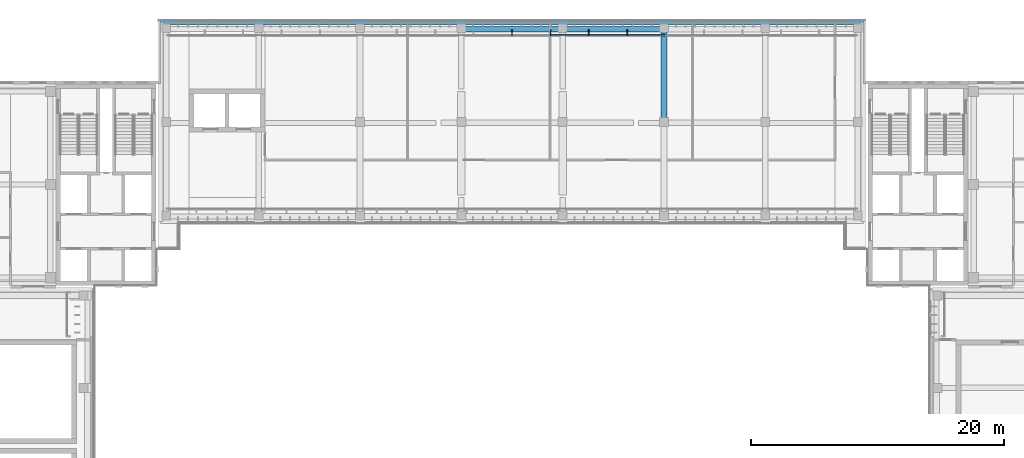
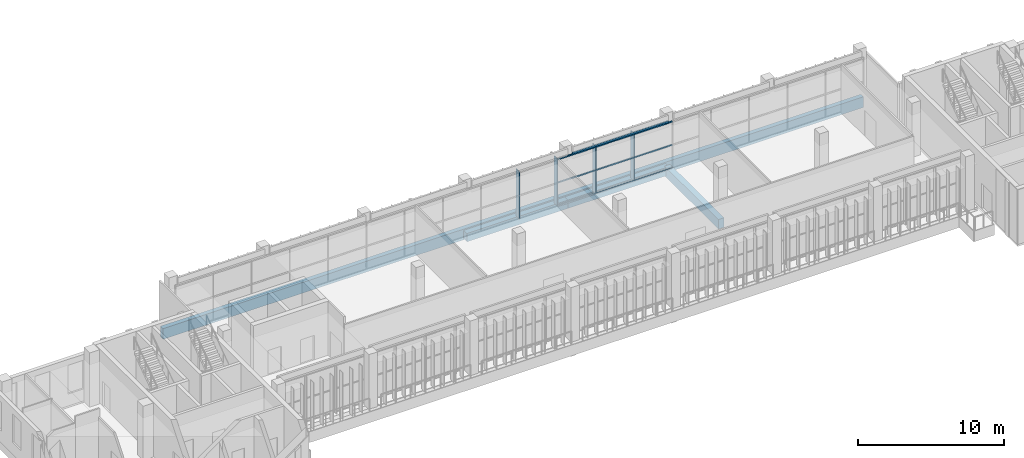
# One storey, part 25 of 73: 13 members, 5 beams, 1 element without a shape of its own.
"""IFC4 building model written with IfcOpenShell, lengths in metres."""

from ifc_helpers import new_model, si_unit, direction, frame, origin, origin_2d, place, context, subcontext, project, spatial, rectangle, hollow_rectangle, extrude, material, material_profile, profile_set, type_object, element, aggregate, save


model = new_model("IFC4")

# Units and contexts
model_context = context("Model", 3, precision=1e-05, world=origin(), true_north=direction((0.0, 1.0)))
body_context = subcontext(model_context, "Body", "Model", "MODEL_VIEW")
ifc_project = project(units=[si_unit("LENGTHUNIT", "METRE"), si_unit("AREAUNIT", "SQUARE_METRE"), si_unit("VOLUMEUNIT", "CUBIC_METRE"), si_unit("PLANEANGLEUNIT", "RADIAN"), si_unit("MASSUNIT", "GRAM", prefix="KILO")], contexts=[model_context])

# Site, building, storey
site_placement = place(None, origin())
site = spatial("IfcSite", under=ifc_project, at=site_placement, CompositionType="ELEMENT")
building_placement = place(site_placement, origin())
building = spatial("IfcBuilding", under=site, at=building_placement, Name="Lantern Court Media Centre", CompositionType="ELEMENT")
storey_placement = place(building_placement, frame((0.0, 0.0, 24.0)))
storey = spatial("IfcBuildingStorey", under=building, at=storey_placement, Name="L05", CompositionType="ELEMENT", Elevation=24.0)

# Curtain wall, members
ifc_material_1 = material(Name="Curtain wall bay 3000")
curtain_wall_type = type_object("IfcCurtainWallType", Name="Curtain wall bay 3000", PredefinedType="NOTDEFINED", material=ifc_material_1)
curtain_wall_placement = place(storey_placement, origin())
curtain_wall = element("IfcCurtainWall", 1, at=curtain_wall_placement, inside=storey, type_object=curtain_wall_type, Name="Curtain wall N outer L05", PredefinedType="NOTDEFINED")
ifc_material_2 = material(Name="Anodised aluminium", Category="aluminium")
ifc_material_profile_1 = material_profile(ifc_material_2, rectangle(XDim=0.449951171875, YDim=0.06005859375, at=origin_2d()), Name="AL 60x450")
ifc_profile_set_1 = profile_set([ifc_material_profile_1], Name="Anodised aluminium")
member_type_1 = type_object("IfcMemberType", Name="Curtain wall mullion 60x450", PredefinedType="MULLION", material=ifc_profile_set_1)
member_1_placement = place(storey_placement, frame((52.0, 116.044921875, 0.0), z_axis=(0.0, 0.0, 1.0), x_axis=(0.0, 1.0, 0.0)))
member_1 = element("IfcMember", 2, at=member_1_placement, type_object=member_type_1, Name="CW1 mullion 10", PredefinedType="MULLION", context=body_context, shape_type="SweptSolid", body=[
    extrude(rectangle(XDim=0.449951171875, YDim=0.06005859375, at=origin_2d()), origin(), (0.0, 0.0, 1.0), 3.949951171875),
])
member_2_placement = place(storey_placement, frame((55.033447265625, 116.044921875, 0.0), z_axis=(0.0, 0.0, 1.0), x_axis=(0.0, 1.0, 0.0)))
member_2 = element("IfcMember", 3, at=member_2_placement, type_object=member_type_1, Name="CW1 mullion 11", PredefinedType="MULLION", context=body_context, shape_type="SweptSolid", body=[
    extrude(rectangle(XDim=0.449951171875, YDim=0.06005859375, at=origin_2d()), origin(), (0.0, 0.0, 1.0), 3.949951171875),
])
member_3_placement = place(storey_placement, frame((58.066650390625, 116.044921875, 0.0), z_axis=(0.0, 0.0, 1.0), x_axis=(0.0, 1.0, 0.0)))
member_3 = element("IfcMember", 4, at=member_3_placement, type_object=member_type_1, Name="CW1 mullion 12", PredefinedType="MULLION", context=body_context, shape_type="SweptSolid", body=[
    extrude(rectangle(XDim=0.449951171875, YDim=0.06005859375, at=origin_2d()), origin(), (0.0, 0.0, 1.0), 3.949951171875),
])
member_4_placement = place(storey_placement, frame((61.10009765625, 116.044921875, 0.0), z_axis=(0.0, 0.0, 1.0), x_axis=(0.0, 1.0, 0.0)))
member_4 = element("IfcMember", 5, at=member_4_placement, type_object=member_type_1, Name="CW1 mullion 13", PredefinedType="MULLION", context=body_context, shape_type="SweptSolid", body=[
    extrude(rectangle(XDim=0.449951171875, YDim=0.06005859375, at=origin_2d()), origin(), (0.0, 0.0, 1.0), 3.949951171875),
])
ifc_material_profile_2 = material_profile(ifc_material_2, rectangle(XDim=0.1201171875, YDim=0.06005859375, at=origin_2d()), Name="AL 60x120")
ifc_profile_set_2 = profile_set([ifc_material_profile_2], Name="Anodised aluminium")
member_type_2 = type_object("IfcMemberType", Name="Curtain wall transom 60x120", PredefinedType="USERDEFINED", material=ifc_profile_set_2)
member_5_placement = place(storey_placement, frame((55.063232421875, 115.85009765625, 0.030029296875), z_axis=(1.0, 0.0, 0.0), x_axis=(0.0, 1.0, 0.0)))
member_5 = element("IfcMember", 6, at=member_5_placement, type_object=member_type_2, Name="CW1 transom 11.1", ObjectType="TRANSOM", PredefinedType="USERDEFINED", context=body_context, shape_type="SweptSolid", body=[
    extrude(rectangle(XDim=0.1201171875, YDim=0.06005859375, at=origin_2d()), origin(), (0.0, 0.0, 1.0), 2.973388671875),
])
member_6_placement = place(storey_placement, frame((55.063232421875, 115.85009765625, 1.97509765625), z_axis=(1.0, 0.0, 0.0), x_axis=(0.0, 1.0, 0.0)))
member_6 = element("IfcMember", 7, at=member_6_placement, type_object=member_type_2, Name="CW1 transom 11.2", ObjectType="TRANSOM", PredefinedType="USERDEFINED", context=body_context, shape_type="SweptSolid", body=[
    extrude(rectangle(XDim=0.1201171875, YDim=0.06005859375, at=origin_2d()), origin(), (0.0, 0.0, 1.0), 2.973388671875),
])
member_7_placement = place(storey_placement, frame((55.063232421875, 115.85009765625, 3.919921875), z_axis=(1.0, 0.0, 0.0), x_axis=(0.0, 1.0, 0.0)))
member_7 = element("IfcMember", 8, at=member_7_placement, type_object=member_type_2, Name="CW1 transom 11.3", ObjectType="TRANSOM", PredefinedType="USERDEFINED", context=body_context, shape_type="SweptSolid", body=[
    extrude(rectangle(XDim=0.1201171875, YDim=0.06005859375, at=origin_2d()), origin(), (0.0, 0.0, 1.0), 2.973388671875),
])
member_8_placement = place(storey_placement, frame((58.0966796875, 115.85009765625, 0.030029296875), z_axis=(1.0, 0.0, 0.0), x_axis=(0.0, 1.0, 0.0)))
member_8 = element("IfcMember", 9, at=member_8_placement, type_object=member_type_2, Name="CW1 transom 12.1", ObjectType="TRANSOM", PredefinedType="USERDEFINED", context=body_context, shape_type="SweptSolid", body=[
    extrude(rectangle(XDim=0.1201171875, YDim=0.06005859375, at=origin_2d()), origin(), (0.0, 0.0, 1.0), 2.973388671875),
])
member_9_placement = place(storey_placement, frame((58.0966796875, 115.85009765625, 1.97509765625), z_axis=(1.0, 0.0, 0.0), x_axis=(0.0, 1.0, 0.0)))
member_9 = element("IfcMember", 10, at=member_9_placement, type_object=member_type_2, Name="CW1 transom 12.2", ObjectType="TRANSOM", PredefinedType="USERDEFINED", context=body_context, shape_type="SweptSolid", body=[
    extrude(rectangle(XDim=0.1201171875, YDim=0.06005859375, at=origin_2d()), origin(), (0.0, 0.0, 1.0), 2.973388671875),
])
member_10_placement = place(storey_placement, frame((58.0966796875, 115.85009765625, 3.919921875), z_axis=(1.0, 0.0, 0.0), x_axis=(0.0, 1.0, 0.0)))
member_10 = element("IfcMember", 11, at=member_10_placement, type_object=member_type_2, Name="CW1 transom 12.3", ObjectType="TRANSOM", PredefinedType="USERDEFINED", context=body_context, shape_type="SweptSolid", body=[
    extrude(rectangle(XDim=0.1201171875, YDim=0.06005859375, at=origin_2d()), origin(), (0.0, 0.0, 1.0), 2.973388671875),
])
member_11_placement = place(storey_placement, frame((61.1298828125, 115.85009765625, 0.030029296875), z_axis=(1.0, 0.0, 0.0), x_axis=(0.0, 1.0, 0.0)))
member_11 = element("IfcMember", 12, at=member_11_placement, type_object=member_type_2, Name="CW1 transom 13.1", ObjectType="TRANSOM", PredefinedType="USERDEFINED", context=body_context, shape_type="SweptSolid", body=[
    extrude(rectangle(XDim=0.1201171875, YDim=0.06005859375, at=origin_2d()), origin(), (0.0, 0.0, 1.0), 2.973388671875),
])
member_12_placement = place(storey_placement, frame((61.1298828125, 115.85009765625, 1.97509765625), z_axis=(1.0, 0.0, 0.0), x_axis=(0.0, 1.0, 0.0)))
member_12 = element("IfcMember", 13, at=member_12_placement, type_object=member_type_2, Name="CW1 transom 13.2", ObjectType="TRANSOM", PredefinedType="USERDEFINED", context=body_context, shape_type="SweptSolid", body=[
    extrude(rectangle(XDim=0.1201171875, YDim=0.06005859375, at=origin_2d()), origin(), (0.0, 0.0, 1.0), 2.973388671875),
])
member_13_placement = place(storey_placement, frame((61.1298828125, 115.85009765625, 3.919921875), z_axis=(1.0, 0.0, 0.0), x_axis=(0.0, 1.0, 0.0)))
member_13 = element("IfcMember", 14, at=member_13_placement, type_object=member_type_2, Name="CW1 transom 13.3", ObjectType="TRANSOM", PredefinedType="USERDEFINED", context=body_context, shape_type="SweptSolid", body=[
    extrude(rectangle(XDim=0.1201171875, YDim=0.06005859375, at=origin_2d()), origin(), (0.0, 0.0, 1.0), 2.973388671875),
])
aggregate(curtain_wall, [member_1, member_2, member_3, member_4, member_5, member_6, member_7, member_8, member_9, member_10, member_11, member_12, member_13])

# Beams
ifc_material_3 = material(Name="Steel S355J2 (EN 10025-2)", Category="steel")
ifc_material_profile_3 = material_profile(ifc_material_3, hollow_rectangle(XDim=0.10009765625, YDim=0.14990234375, WallThickness=0.00634765625, InnerFilletRadius=0.00634765625, OuterFilletRadius=0.009521484375, at=origin_2d()), Name="Facade head lintel RHS 150x100x6.3")
ifc_profile_set_3 = profile_set([ifc_material_profile_3], Name="Steel S355J2 (EN 10025-2)")
beam_type_1 = type_object("IfcBeamType", Name="Facade head lintel RHS 150x100x6.3", PredefinedType="BEAM", material=ifc_profile_set_3)
beam_1_placement = place(storey_placement, frame((56.199951171875, 115.85009765625, 4.02490234375), z_axis=(1.0, 0.0, 0.0), x_axis=(0.0, 1.0, 0.0)))
element("IfcBeam", 15, at=beam_1_placement, inside=storey, type_object=beam_type_1, Name="Facade head lintel N L05", PredefinedType="BEAM", context=body_context, shape_type="SweptSolid", body=[
    extrude(hollow_rectangle(XDim=0.10009765625, YDim=0.14990234375, WallThickness=0.00634765625, InnerFilletRadius=0.00634765625, OuterFilletRadius=0.009521484375, at=origin_2d()), origin(), (0.0, 0.0, 1.0), 7.60009765625),
])
ifc_material_4 = material(Name="Concrete C35", Category="concrete")
ifc_material_profile_4 = material_profile(ifc_material_4, rectangle(XDim=0.35009765625, YDim=0.89990234375, at=origin_2d()), Name="RC 350x900")
ifc_profile_set_4 = profile_set([ifc_material_profile_4], Name="Concrete C35")
beam_type_2 = type_object("IfcBeamType", Name="RC BEAM 350x900", PredefinedType="BEAM", material=ifc_profile_set_4)
beam_2_placement = place(storey_placement, frame((24.25, 116.85009765625, -0.449951171875), z_axis=(1.0, 0.0, 0.0), x_axis=(0.0, 1.0, 0.0)))
element("IfcBeam", 16, at=beam_2_placement, inside=storey, type_object=beam_type_2, Name="EB-N-L05-B", PredefinedType="BEAM", context=body_context, shape_type="SweptSolid", body=[
    extrude(rectangle(XDim=0.35009765625, YDim=0.89990234375, at=origin_2d()), origin(), (0.0, 0.0, 1.0), 55.5),
])
ifc_material_profile_5 = material_profile(ifc_material_4, rectangle(XDim=0.449951171875, YDim=0.699951171875, at=origin_2d()), Name="RC 450x700")
ifc_profile_set_5 = profile_set([ifc_material_profile_5], Name="Concrete C35")
beam_type_3 = type_object("IfcBeamType", Name="RC BEAM 450x700", PredefinedType="BEAM", material=ifc_profile_set_5)
for number, where, z_axis, x_axis, name in (
    (17, (48.0, 116.3271484375, -0.35009765625), (1.0, 0.0, 0.0), (0.0, 1.0, 0.0), "LB-N-L05-2-3"),
    (18, (56.0, 116.3271484375, -0.35009765625), (1.0, 0.0, 0.0), (0.0, 1.0, 0.0), "LB-N-L05-2-4"),
):
    element("IfcBeam", number, at=place(storey_placement, frame(where, z_axis=z_axis, x_axis=x_axis)), inside=storey, type_object=beam_type_3, Name=name, PredefinedType="BEAM", context=body_context, shape_type="SweptSolid", body=[
        extrude(rectangle(XDim=0.449951171875, YDim=0.699951171875, at=origin_2d()), origin(), (0.0, 0.0, 1.0), 8.0),
    ])
ifc_material_profile_6 = material_profile(ifc_material_4, rectangle(XDim=0.449951171875, YDim=0.800048828125, at=origin_2d()), Name="RC 450x800")
ifc_profile_set_6 = profile_set([ifc_material_profile_6], Name="Concrete C35")
beam_type_4 = type_object("IfcBeamType", Name="RC BEAM 450x800", PredefinedType="BEAM", material=ifc_profile_set_6)
beam_3_placement = place(storey_placement, frame((64.0, 108.916748046875, -0.39990234375), z_axis=(0.0, 1.0, 0.0), x_axis=(-1.0, 0.0, 0.0)))
element("IfcBeam", 19, at=beam_3_placement, inside=storey, type_object=beam_type_4, Name="TB-N-L05-5-2", PredefinedType="BEAM", context=body_context, shape_type="SweptSolid", body=[
    extrude(rectangle(XDim=0.449951171875, YDim=0.800048828125, at=origin_2d()), origin(), (0.0, 0.0, 1.0), 7.39990234375),
])

save(model, "model.ifc")
